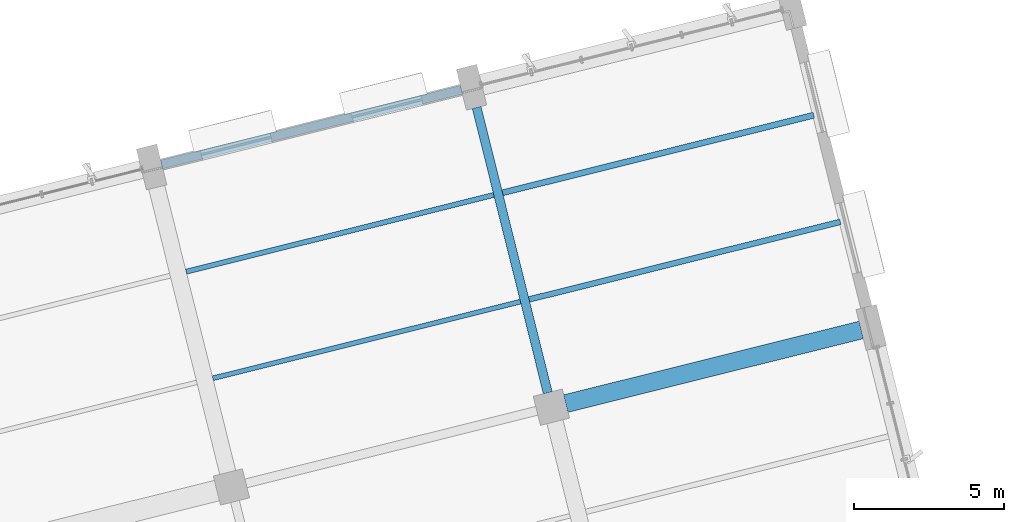
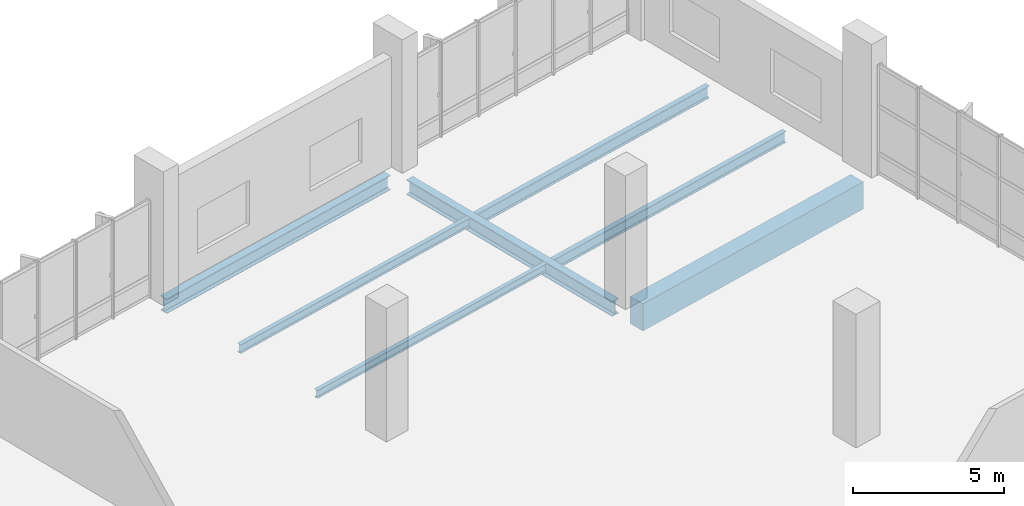
# One storey, part 97 of 176: 7 beams.
"""IFC4 building model written with IfcOpenShell, lengths in metres."""

from ifc_helpers import new_model, si_unit, direction, frame, origin, origin_2d, place, context, subcontext, project, spatial, rectangle, i_section, extrude, material, material_profile, profile_set, type_object, element, save


model = new_model("IFC4")

# Units and contexts
model_context = context("Model", 3, precision=1e-05, world=origin(), true_north=direction((0.0, 1.0)))
body_context = subcontext(model_context, "Body", "Model", "MODEL_VIEW")
ifc_project = project(units=[si_unit("LENGTHUNIT", "METRE"), si_unit("AREAUNIT", "SQUARE_METRE"), si_unit("VOLUMEUNIT", "CUBIC_METRE"), si_unit("PLANEANGLEUNIT", "RADIAN"), si_unit("MASSUNIT", "GRAM", prefix="KILO")], contexts=[model_context])

# Site, building, storey
site_placement = place(None, origin())
site = spatial("IfcSite", under=ifc_project, at=site_placement, CompositionType="ELEMENT")
building_placement = place(site_placement, origin())
building = spatial("IfcBuilding", under=site, at=building_placement, Name="Khorjan Park Terminus", CompositionType="ELEMENT")
storey_placement = place(building_placement, frame((0.0, 0.0, 6.0)))
storey = spatial("IfcBuildingStorey", under=building, at=storey_placement, Name="L01", CompositionType="ELEMENT", Elevation=6.0)

# Beams
ifc_material_1 = material(Name="Steel S355", Category="steel")
ifc_material_profile_1 = material_profile(ifc_material_1, i_section(OverallWidth=0.3, OverallDepth=0.59, WebThickness=0.013, FlangeThickness=0.025, FilletRadius=0.027, at=origin_2d()), Name="HEA 600")
ifc_profile_set_1 = profile_set([ifc_material_profile_1], Name="Steel S355")
beam_type_1 = type_object("IfcBeamType", Name="BM-HEA600", PredefinedType="BEAM", material=ifc_profile_set_1)
beam_1_placement = place(storey_placement, frame((193.0609, 76.7675, -0.645), z_axis=(0.970294075028, 0.241928518297, 0.0), x_axis=(-0.241928518297, 0.970294075028, 0.0)))
element("IfcBeam", 1, at=beam_1_placement, inside=storey, type_object=beam_type_1, Name="Primary skew-grid floor girder SB-A60 (L01)", PredefinedType="BEAM", context=body_context, shape_type="SweptSolid", body=[
    extrude(i_section(OverallWidth=0.3, OverallDepth=0.59, WebThickness=0.013, FlangeThickness=0.025, FilletRadius=0.027, at=origin_2d()), origin(), (0.0, 0.0, 1.0), 10.3101),
])
ifc_material_profile_2 = material_profile(ifc_material_1, i_section(OverallWidth=0.3, OverallDepth=0.6, WebThickness=0.0155, FlangeThickness=0.03, FilletRadius=0.027, at=origin_2d()), Name="HEB 600")
ifc_profile_set_2 = profile_set([ifc_material_profile_2], Name="Steel S355")
beam_type_2 = type_object("IfcBeamType", Name="BM-HEB600", PredefinedType="BEAM", material=ifc_profile_set_2)
beam_2_placement = place(storey_placement, frame((205.9408, 69.1523, -0.65), z_axis=(-0.241916758476, 0.97029700709, 0.0), x_axis=(-0.97029700709, -0.241916758476, 0.0)))
element("IfcBeam", 2, at=beam_2_placement, inside=storey, type_object=beam_type_2, Name="Primary skew-grid floor girder SB-B60 (L01)", PredefinedType="BEAM", context=body_context, shape_type="SweptSolid", body=[
    extrude(i_section(OverallWidth=0.3, OverallDepth=0.6, WebThickness=0.0155, FlangeThickness=0.03, FilletRadius=0.027, at=origin_2d()), origin(), (0.0, 0.0, 1.0), 9.81),
])
ifc_material_2 = material(Name="Concrete C40/50", Category="concrete")
ifc_material_profile_3 = material_profile(ifc_material_2, rectangle(XDim=0.6, YDim=1.1, at=origin_2d()), Name="RC 600x1100")
ifc_profile_set_3 = profile_set([ifc_material_profile_3], Name="Concrete C40/50")
beam_type_3 = type_object("IfcBeamType", Name="BM-RC600x1100", PredefinedType="BEAM", material=ifc_profile_set_3)
beam_3_placement = place(storey_placement, frame((206.5409, 68.7917, -0.9), z_axis=(0.97029631121, 0.241919549545, 0.0), x_axis=(-0.241919549545, 0.97029631121, 0.0)))
element("IfcBeam", 3, at=beam_3_placement, inside=storey, type_object=beam_type_3, Name="Primary skew-grid floor girder GB-11 (L01)", PredefinedType="BEAM", context=body_context, shape_type="SweptSolid", body=[
    extrude(rectangle(XDim=0.6, YDim=1.1, at=origin_2d()), origin(), (0.0, 0.0, 1.0), 10.16),
])
ifc_material_profile_4 = material_profile(ifc_material_1, i_section(OverallWidth=0.16, OverallDepth=0.33, WebThickness=0.0075, FlangeThickness=0.0115, FilletRadius=0.018, at=origin_2d()), Name="IPE 330")
ifc_profile_set_4 = profile_set([ifc_material_profile_4], Name="Steel S355")
beam_type_4 = type_object("IfcBeamType", Name="JS-IPE330", PredefinedType="JOIST", material=ifc_profile_set_4)
beam_4_placement = place(storey_placement, frame((194.7671, 69.6351, -0.515), z_axis=(0.970294165893, 0.241928153868, 0.0), x_axis=(-0.241928153868, 0.970294165893, 0.0)))
element("IfcBeam", 4, at=beam_4_placement, inside=storey, type_object=beam_type_4, Name="Secondary composite floor joist SJ-33 (L01)", PredefinedType="JOIST", context=body_context, shape_type="SweptSolid", body=[
    extrude(i_section(OverallWidth=0.16, OverallDepth=0.33, WebThickness=0.0075, FlangeThickness=0.0115, FilletRadius=0.018, at=origin_2d()), origin(), (0.0, 0.0, 1.0), 10.575),
])
ifc_material_profile_5 = material_profile(ifc_material_1, i_section(OverallWidth=0.17, OverallDepth=0.36, WebThickness=0.008, FlangeThickness=0.0127, FilletRadius=0.018, at=origin_2d()), Name="IPE 360")
ifc_profile_set_5 = profile_set([ifc_material_profile_5], Name="Steel S355")
beam_type_5 = type_object("IfcBeamType", Name="JS-IPE360", PredefinedType="JOIST", material=ifc_profile_set_5)
beam_5_placement = place(storey_placement, frame((193.8801, 73.1928, -0.53), z_axis=(0.97029361242, 0.241930373656, 0.0), x_axis=(-0.241930373656, 0.97029361242, 0.0)))
element("IfcBeam", 5, at=beam_5_placement, inside=storey, type_object=beam_type_5, Name="Secondary composite floor joist SJ-36 (L01)", PredefinedType="JOIST", context=body_context, shape_type="SweptSolid", body=[
    extrude(i_section(OverallWidth=0.17, OverallDepth=0.36, WebThickness=0.008, FlangeThickness=0.0127, FilletRadius=0.018, at=origin_2d()), origin(), (0.0, 0.0, 1.0), 10.5749),
])
ifc_material_profile_6 = material_profile(ifc_material_1, i_section(OverallWidth=0.19, OverallDepth=0.45, WebThickness=0.0094, FlangeThickness=0.0146, FilletRadius=0.021, at=origin_2d()), Name="IPE 450")
ifc_profile_set_6 = profile_set([ifc_material_profile_6], Name="Steel S355")
beam_type_6 = type_object("IfcBeamType", Name="JS-IPE450", PredefinedType="JOIST", material=ifc_profile_set_6)
beam_6_placement = place(storey_placement, frame((205.3191, 72.266, -0.575), z_axis=(0.970294591155, 0.241926448278, 0.0), x_axis=(-0.241926448278, 0.970294591155, 0.0)))
element("IfcBeam", 6, at=beam_6_placement, inside=storey, type_object=beam_type_6, Name="Secondary composite floor joist SJ-45 (L01)", PredefinedType="JOIST", context=body_context, shape_type="SweptSolid", body=[
    extrude(i_section(OverallWidth=0.19, OverallDepth=0.45, WebThickness=0.0094, FlangeThickness=0.0146, FilletRadius=0.021, at=origin_2d()), origin(), (0.0, 0.0, 1.0), 10.6999),
])
ifc_material_profile_7 = material_profile(ifc_material_1, i_section(OverallWidth=0.2, OverallDepth=0.5, WebThickness=0.0102, FlangeThickness=0.016, FilletRadius=0.021, at=origin_2d()), Name="IPE 500")
ifc_profile_set_7 = profile_set([ifc_material_profile_7], Name="Steel S355")
beam_type_7 = type_object("IfcBeamType", Name="JS-IPE500", PredefinedType="JOIST", material=ifc_profile_set_7)
beam_7_placement = place(storey_placement, frame((204.432, 75.8237, -0.6), z_axis=(0.970295138144, 0.241924254455, 0.0), x_axis=(-0.241924254455, 0.970295138144, 0.0)))
element("IfcBeam", 7, at=beam_7_placement, inside=storey, type_object=beam_type_7, Name="Secondary composite floor joist SJ-50 (L01)", PredefinedType="JOIST", context=body_context, shape_type="SweptSolid", body=[
    extrude(i_section(OverallWidth=0.2, OverallDepth=0.5, WebThickness=0.0102, FlangeThickness=0.016, FilletRadius=0.021, at=origin_2d()), origin(), (0.0, 0.0, 1.0), 10.7),
])

save(model, "model.ifc")
